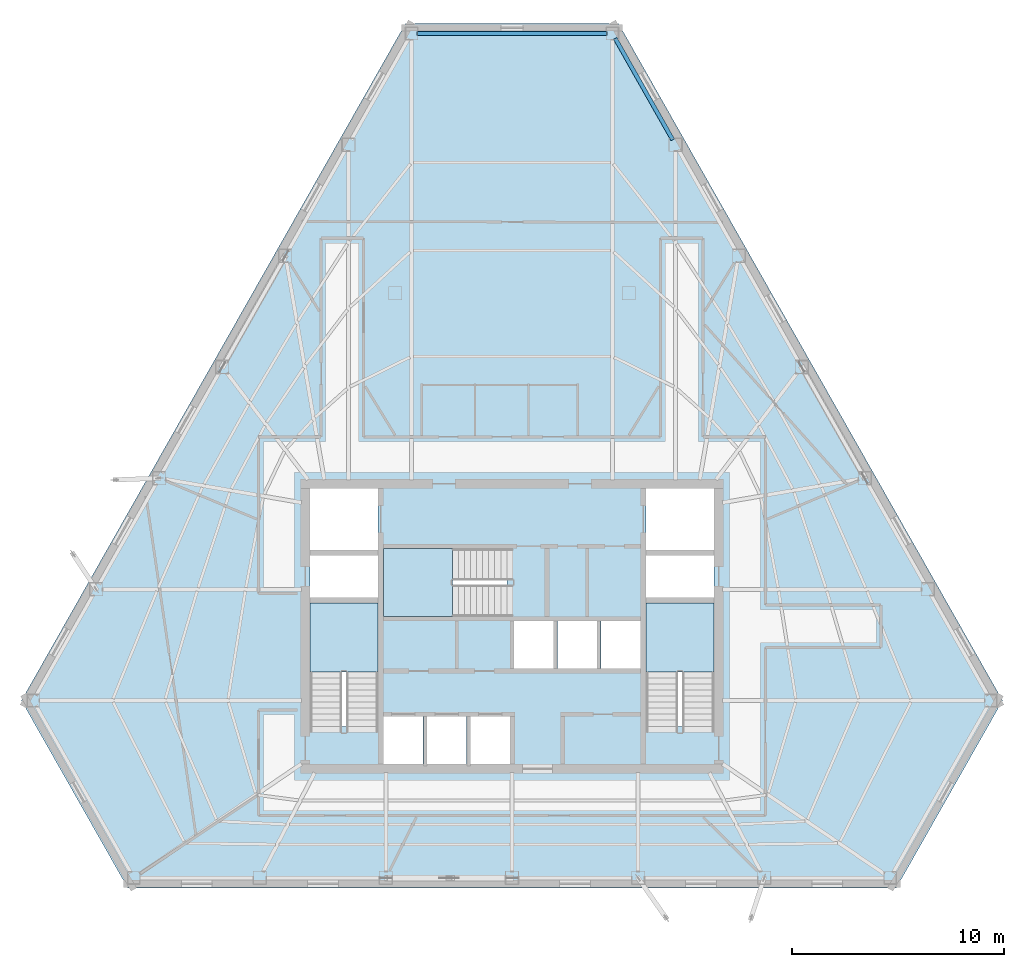
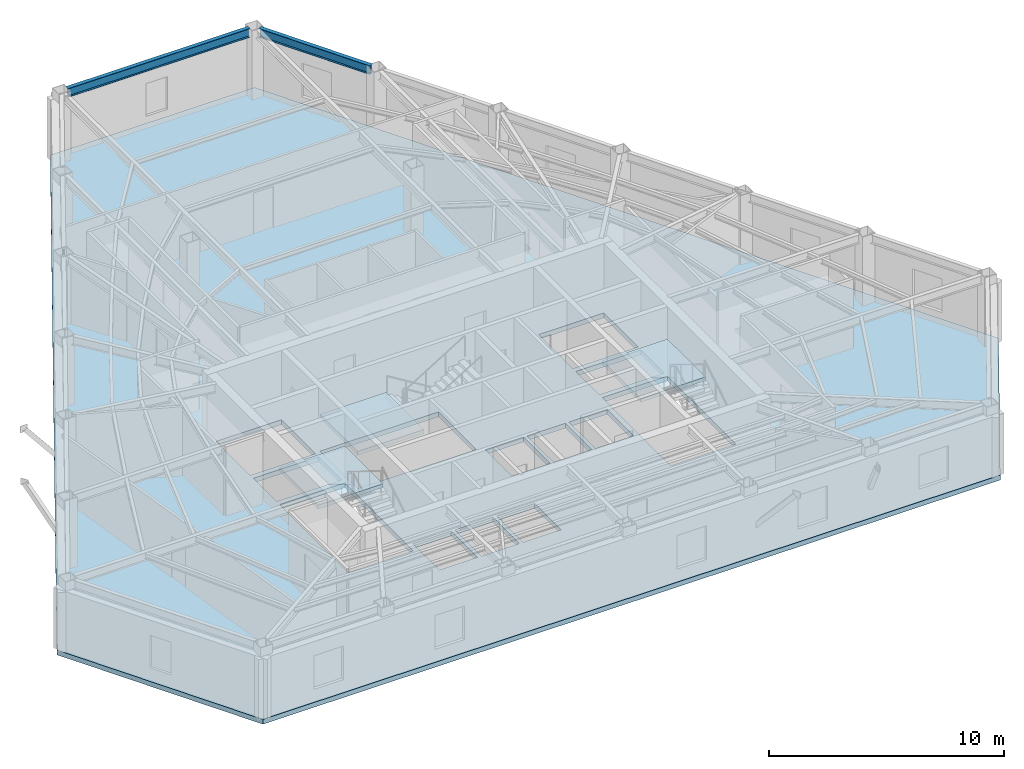
# One storey, part 3 of 11: 4 slabs, 2 beams, 3 elements without a shape of their own.
"""IFC4 building model written with IfcOpenShell, lengths in metres."""

from ifc_helpers import new_model, si_unit, direction, frame, origin, origin_2d, place, context, subcontext, project, spatial, polyline, i_section, outline, extrude, material, layer, layer_set, material_profile, profile_set, type_object, element, aggregate, save


model = new_model("IFC4")

# Units and contexts
model_context = context("Model", 3, precision=1e-05, world=origin(), true_north=direction((0.0, 1.0)))
body_context = subcontext(model_context, "Body", "Model", "MODEL_VIEW")
ifc_project = project(units=[si_unit("LENGTHUNIT", "METRE"), si_unit("AREAUNIT", "SQUARE_METRE"), si_unit("VOLUMEUNIT", "CUBIC_METRE"), si_unit("PLANEANGLEUNIT", "RADIAN"), si_unit("MASSUNIT", "GRAM", prefix="KILO")], contexts=[model_context])

# Site, building, storey
site_placement = place(None, origin())
site = spatial("IfcSite", under=ifc_project, at=site_placement, CompositionType="ELEMENT")
building_placement = place(site_placement, origin())
building = spatial("IfcBuilding", under=site, at=building_placement, Name="Kavelnor Concourse Tower", CompositionType="ELEMENT")
storey_placement = place(building_placement, frame((0.0, 0.0, 165.0)))
storey = spatial("IfcBuildingStorey", under=building, at=storey_placement, Name="L41", CompositionType="ELEMENT", Elevation=165.0)

# Beams
ifc_material_1 = material(Name="Steel Grade 350", Category="steel")
ifc_material_profile = material_profile(ifc_material_1, i_section(OverallWidth=0.19091796875, OverallDepth=0.4599609375, WebThickness=0.010009765625, FlangeThickness=0.01611328125, at=origin_2d()), Name="460UB82")
ifc_profile_set = profile_set([ifc_material_profile], Name="Steel Grade 350")
beam_type = type_object("IfcBeamType", Name="BM-SPANDREL-Z3", PredefinedType="SPANDREL", material=ifc_profile_set)
beam_1_placement = place(storey_placement, frame((42.469970703125, 44.034912109375, 3.3701171875), z_axis=(-1.0, 0.0, 0.0), x_axis=(0.0, -1.0, 0.0)))
element("IfcBeam", 1, at=beam_1_placement, inside=storey, type_object=beam_type, Name="L41 Chamfer Facet Spandrel Beam C0", PredefinedType="SPANDREL", context=body_context, shape_type="SweptSolid", body=[
    extrude(i_section(OverallWidth=0.19091796875, OverallDepth=0.4599609375, WebThickness=0.010009765625, FlangeThickness=0.01611328125, at=origin_2d()), origin(), (0.0, 0.0, 1.0), 8.93994140625),
])
beam_2_placement = place(storey_placement, frame((45.576416015625, 39.02587890625, 3.3701171875), z_axis=(-0.493403837577, 0.869800352417, 0.0), x_axis=(-0.869800352417, -0.493403837577, 0.0)))
element("IfcBeam", 2, at=beam_2_placement, inside=storey, type_object=beam_type, Name="L41 Perimeter Tube Spandrel Beam F2-B5", PredefinedType="SPANDREL", context=body_context, shape_type="SweptSolid", body=[
    extrude(i_section(OverallWidth=0.19091796875, OverallDepth=0.4599609375, WebThickness=0.010009765625, FlangeThickness=0.01611328125, at=origin_2d()), origin(), (0.0, 0.0, 1.0), 5.493896484375),
])

# Stair, slab
ifc_material_2 = material(Name="Concrete C40/50", Category="concrete")
stair_type = type_object("IfcStairType", Name="STR-CORE-1500", PredefinedType="HALF_TURN_STAIR", material=ifc_material_2)
stair_1_placement = place(storey_placement, origin())
stair_1 = element("IfcStair", 3, at=stair_1_placement, inside=storey, type_object=stair_type, Name="L41 ST1", PredefinedType="HALF_TURN_STAIR")
ifc_layer_1 = layer(ifc_material_2, 0.199951171875, Name="Concrete C40/50")
ifc_layer_set_1 = layer_set([ifc_layer_1], Name="Concrete C40/50")
slab_type_1 = type_object("IfcSlabType", Name="SLB-LANDING-200", PredefinedType="LANDING", material=ifc_layer_set_1)
slab_1_placement = place(storey_placement, frame((0.0, 0.0, 1.72509765625)))
slab_1 = element("IfcSlab", 4, at=slab_1_placement, type_object=slab_type_1, Name="ST1 landing 1", PredefinedType="LANDING", context=body_context, shape_type="SweptSolid", body=[
    extrude(outline(polyline([(31.679931640625, 13.949951171875), (31.679931640625, 17.199951171875), (28.47998046875, 17.199951171875), (28.47998046875, 13.949951171875), (31.679931640625, 13.949951171875)])), origin(), (0.0, 0.0, 1.0), 0.199951171875),
])
aggregate(stair_1, [slab_1])

stair_2_placement = place(storey_placement, origin())
stair_2 = element("IfcStair", 5, at=stair_2_placement, inside=storey, type_object=stair_type, Name="L41 ST2", PredefinedType="HALF_TURN_STAIR")
slab_2_placement = place(storey_placement, frame((0.0, 0.0, 1.72509765625)))
slab_2 = element("IfcSlab", 6, at=slab_2_placement, type_object=slab_type_1, Name="ST2 landing 1", PredefinedType="LANDING", context=body_context, shape_type="SweptSolid", body=[
    extrude(outline(polyline([(47.52001953125, 13.949951171875), (47.52001953125, 17.199951171875), (44.320068359375, 17.199951171875), (44.320068359375, 13.949951171875), (47.52001953125, 13.949951171875)])), origin(), (0.0, 0.0, 1.0), 0.199951171875),
])
aggregate(stair_2, [slab_2])

stair_3_placement = place(storey_placement, origin())
stair_3 = element("IfcStair", 7, at=stair_3_placement, inside=storey, type_object=stair_type, Name="L41 ST3", PredefinedType="HALF_TURN_STAIR")
slab_3_placement = place(storey_placement, frame((0.0, 0.0, 1.72509765625)))
slab_3 = element("IfcSlab", 8, at=slab_3_placement, type_object=slab_type_1, Name="ST3 landing 1", PredefinedType="LANDING", context=body_context, shape_type="SweptSolid", body=[
    extrude(outline(polyline([(35.18994140625, 19.760009765625), (31.93994140625, 19.760009765625), (31.93994140625, 16.56005859375), (35.18994140625, 16.56005859375), (35.18994140625, 19.760009765625)])), origin(), (0.0, 0.0, 1.0), 0.199951171875),
])
aggregate(stair_3, [slab_3])

# Slab
ifc_layer_2 = layer(ifc_material_2, 0.25, Name="Concrete C40/50")
ifc_layer_set_2 = layer_set([ifc_layer_2], Name="Concrete C40/50")
slab_type_2 = type_object("IfcSlabType", Name="SLB-OFFICE-250", PredefinedType="FLOOR", material=ifc_layer_set_2)
slab_4_placement = place(storey_placement, frame((0.0, 0.0, -0.25)))
element("IfcSlab", 9, at=slab_4_placement, inside=storey, type_object=slab_type_2, Name="L41 Composite Structural Floor Slab", PredefinedType="FLOOR", context=body_context, shape_type="SweptSolid", body=[
    extrude(outline(polyline([(43.0146484375, 44.514892578125), (32.9853515625, 44.514892578125), (14.8798828125, 12.5966796875), (19.89453125, 3.756591796875), (56.10546875, 3.756591796875), (61.1201171875, 12.5966796875), (43.0146484375, 44.514892578125)]), holes=[polyline([(28.47998046875, 11.3798828125), (31.679931640625, 11.3798828125), (31.679931640625, 17.199951171875), (28.47998046875, 17.199951171875), (28.47998046875, 11.3798828125)]), polyline([(44.320068359375, 11.3798828125), (47.52001953125, 11.3798828125), (47.52001953125, 17.199951171875), (44.320068359375, 17.199951171875), (44.320068359375, 11.3798828125)]), polyline([(31.93994140625, 16.56005859375), (37.760009765625, 16.56005859375), (37.760009765625, 19.760009765625), (31.93994140625, 19.760009765625), (31.93994140625, 16.56005859375)]), polyline([(28.47998046875, 19.699951171875), (31.679931640625, 19.699951171875), (31.679931640625, 22.60009765625), (28.47998046875, 22.60009765625), (28.47998046875, 19.699951171875)]), polyline([(44.320068359375, 19.699951171875), (47.52001953125, 19.699951171875), (47.52001953125, 22.60009765625), (44.320068359375, 22.60009765625), (44.320068359375, 19.699951171875)]), polyline([(38.090087890625, 14.10009765625), (39.9599609375, 14.10009765625), (39.9599609375, 16.340087890625), (38.090087890625, 16.340087890625), (38.090087890625, 14.10009765625)]), polyline([(40.139892578125, 14.10009765625), (42.010009765625, 14.10009765625), (42.010009765625, 16.340087890625), (40.139892578125, 16.340087890625), (40.139892578125, 14.10009765625)]), polyline([(42.18994140625, 14.10009765625), (44.06005859375, 14.10009765625), (44.06005859375, 16.340087890625), (42.18994140625, 16.340087890625), (42.18994140625, 14.10009765625)]), polyline([(31.93994140625, 9.60009765625), (33.81005859375, 9.60009765625), (33.81005859375, 11.840087890625), (31.93994140625, 11.840087890625), (31.93994140625, 9.60009765625)]), polyline([(33.989990234375, 9.60009765625), (35.860107421875, 9.60009765625), (35.860107421875, 11.840087890625), (33.989990234375, 11.840087890625), (33.989990234375, 9.60009765625)]), polyline([(36.0400390625, 9.60009765625), (37.909912109375, 9.60009765625), (37.909912109375, 11.840087890625), (36.0400390625, 11.840087890625), (36.0400390625, 9.60009765625)]), polyline([(28.47998046875, 17.4599609375), (31.679931640625, 17.4599609375), (31.679931640625, 19.43994140625), (28.47998046875, 19.43994140625), (28.47998046875, 17.4599609375)]), polyline([(44.320068359375, 17.4599609375), (47.52001953125, 17.4599609375), (47.52001953125, 19.43994140625), (44.320068359375, 19.43994140625), (44.320068359375, 17.4599609375)])]), origin(), (0.0, 0.0, 1.0), 0.25),
])

save(model, "model.ifc")
